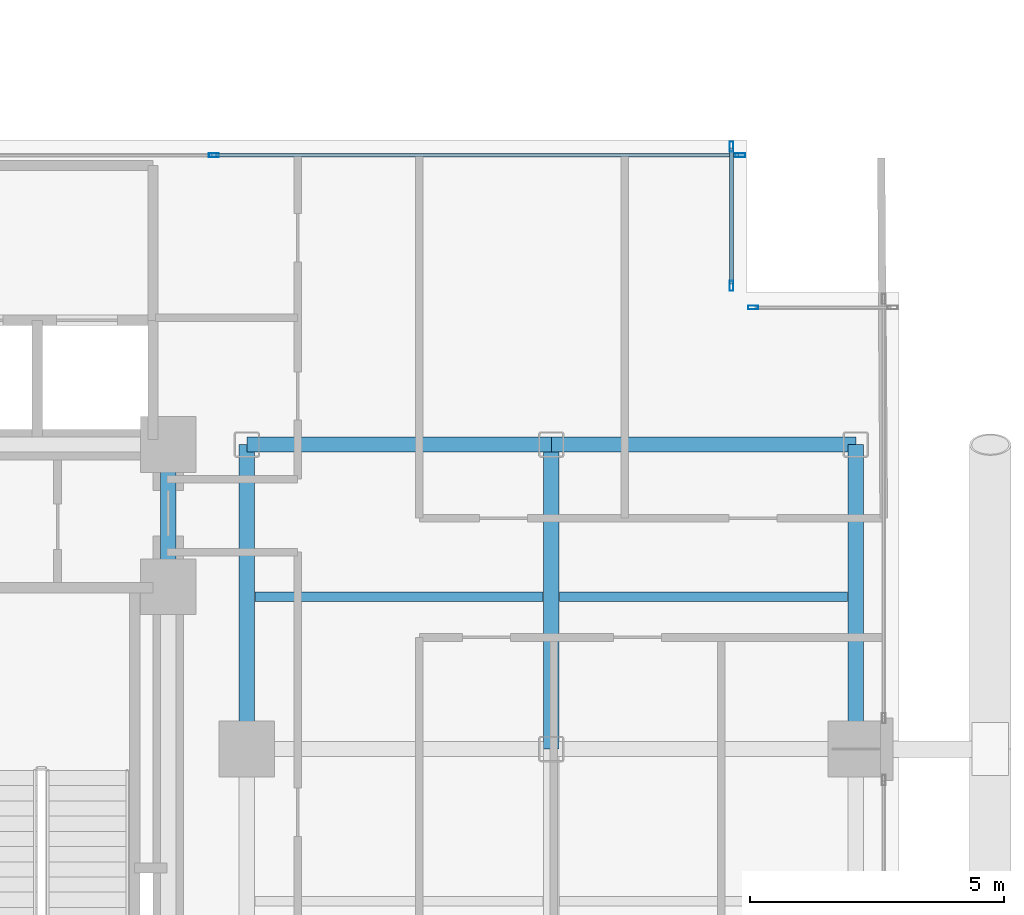
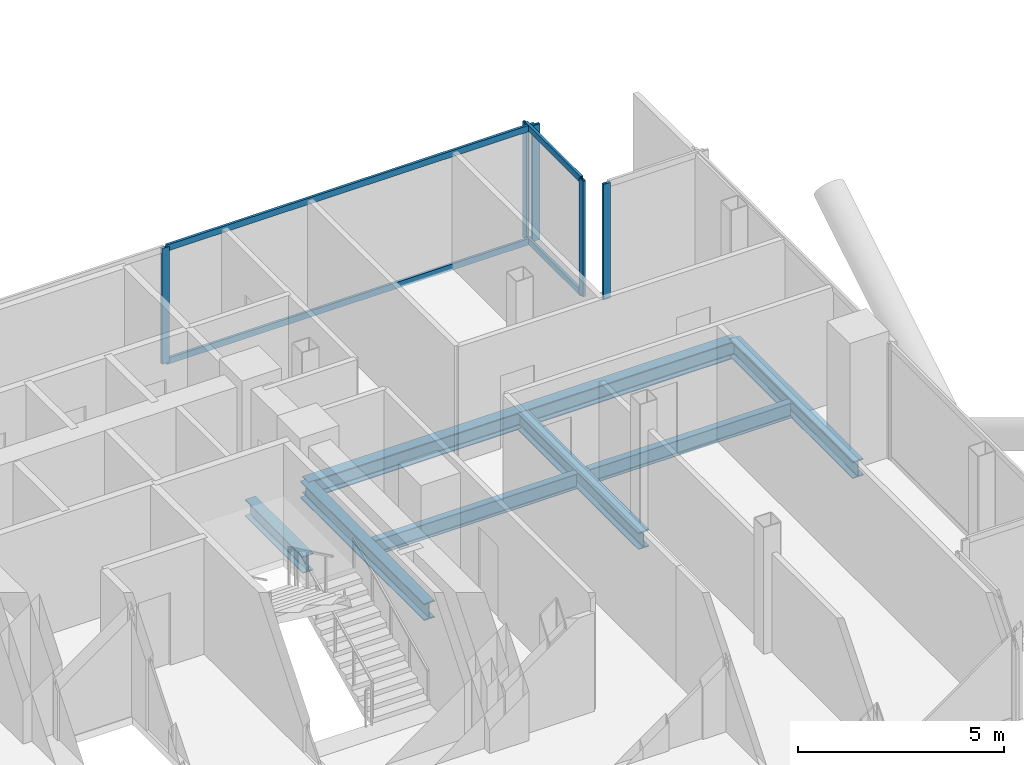
# One storey, part 12 of 24: 9 members, 8 beams, 3 elements without a shape of their own.
"""IFC4 building model written with IfcOpenShell, lengths in metres."""

from ifc_helpers import new_model, si_unit, direction, frame, origin, origin_2d, place, context, subcontext, project, spatial, hollow_rectangle, i_section, extrude, material, layer, layer_set, material_profile, profile_set, type_object, element, aggregate, save


model = new_model("IFC4")

# Units and contexts
model_context = context("Model", 3, precision=1e-05, world=origin(), true_north=direction((0.0, 1.0)))
body_context = subcontext(model_context, "Body", "Model", "MODEL_VIEW")
ifc_project = project(units=[si_unit("LENGTHUNIT", "METRE"), si_unit("AREAUNIT", "SQUARE_METRE"), si_unit("VOLUMEUNIT", "CUBIC_METRE"), si_unit("PLANEANGLEUNIT", "RADIAN"), si_unit("MASSUNIT", "GRAM", prefix="KILO"), si_unit("THERMODYNAMICTEMPERATUREUNIT", "KELVIN"), si_unit("POWERUNIT", "WATT")], contexts=[model_context])

# Site, building, storey
site_placement = place(None, origin())
site = spatial("IfcSite", under=ifc_project, at=site_placement, CompositionType="ELEMENT")
building_placement = place(site_placement, origin())
building = spatial("IfcBuilding", under=site, at=building_placement, Name="Svarakhadi Broadcast Tower", CompositionType="ELEMENT")
storey_placement = place(building_placement, frame((0.0, 0.0, 160.64990234375)))
storey = spatial("IfcBuildingStorey", under=building, at=storey_placement, Name="L39", CompositionType="ELEMENT", Elevation=160.64990234375)

# Beams
ifc_material_1 = material(Name="Steel S355J2 (IS 2062 E350C)", Category="steel")
ifc_material_profile_1 = material_profile(ifc_material_1, i_section(OverallWidth=0.18994140625, OverallDepth=0.449951171875, WebThickness=0.009521484375, FlangeThickness=0.0146484375, FilletRadius=0.02099609375, at=origin_2d()), Name="NPB 450x190x78")
ifc_profile_set_1 = profile_set([ifc_material_profile_1], Name="Steel S355J2 (IS 2062 E350C)")
beam_type_1 = type_object("IfcBeamType", Name="Beam_NPB450", PredefinedType="BEAM", material=ifc_profile_set_1)
for number, where, z_axis, x_axis, name in (
    (1, (35.31005859375, 15.0, -0.449951171875), (1.0, 0.0, 0.0), (0.0, 1.0, 0.0), "L39 Secondary Composite Beam SB021"),
    (2, (41.31005859375, 15.0, -0.449951171875), (1.0, 0.0, 0.0), (0.0, 1.0, 0.0), "L39 Secondary Composite Beam SB023"),
):
    element("IfcBeam", number, at=place(storey_placement, frame(where, z_axis=z_axis, x_axis=x_axis)), inside=storey, type_object=beam_type_1, Name=name, PredefinedType="BEAM", context=body_context, shape_type="SweptSolid", body=[
        extrude(i_section(OverallWidth=0.18994140625, OverallDepth=0.449951171875, WebThickness=0.009521484375, FlangeThickness=0.0146484375, FilletRadius=0.02099609375, at=origin_2d()), origin(), (0.0, 0.0, 1.0), 5.679931640625),
    ])

# Curtain wall, members
ifc_material_2 = material(Name="Anodised Bronze Aluminium AA 6063-T6", Category="aluminium")
ifc_layer = layer(ifc_material_2, 0.199951171875)
ifc_layer_set = layer_set([ifc_layer], Name="Anodised Bronze Aluminium AA 6063-T6")
curtain_wall_type = type_object("IfcCurtainWallType", Name="CW_Sys_03", PredefinedType="NOTDEFINED", material=ifc_layer_set)
curtain_wall_1_placement = place(storey_placement, origin())
curtain_wall_1 = element("IfcCurtainWall", 3, at=curtain_wall_1_placement, inside=storey, type_object=curtain_wall_type, Name="L39 Unitised Facade Curtain Wall 10", PredefinedType="NOTDEFINED")
ifc_material_profile_2 = material_profile(ifc_material_2, hollow_rectangle(XDim=0.074951171875, YDim=0.199951171875, WallThickness=0.005615234375, at=origin_2d()), Name="ALU MULLION 200x75x6")
ifc_profile_set_2 = profile_set([ifc_material_profile_2], Name="Anodised Bronze Aluminium AA 6063-T6")
member_type_1 = type_object("IfcMemberType", Name="CW_Sys_03_Mul", PredefinedType="MULLION", material=ifc_profile_set_2)
member_1_placement = place(storey_placement, frame((34.5, 23.699951171875, 0.0), z_axis=(0.0, 0.0, 1.0), x_axis=(0.0, 1.0, 0.0)))
member_1 = element("IfcMember", 4, at=member_1_placement, type_object=member_type_1, Name="CW-03 mullion 2", PredefinedType="MULLION", context=body_context, shape_type="SweptSolid", body=[
    extrude(hollow_rectangle(XDim=0.074951171875, YDim=0.199951171875, WallThickness=0.005615234375, at=origin_2d()), origin(), (0.0, 0.0, 1.0), 3.425048828125),
])
member_2_placement = place(storey_placement, frame((44.87255859375, 23.699951171875, 0.0), z_axis=(0.0, 0.0, 1.0), x_axis=(0.0, 1.0, 0.0)))
member_2 = element("IfcMember", 5, at=member_2_placement, type_object=member_type_1, Name="CW-03 mullion 3", PredefinedType="MULLION", context=body_context, shape_type="SweptSolid", body=[
    extrude(hollow_rectangle(XDim=0.074951171875, YDim=0.199951171875, WallThickness=0.005615234375, at=origin_2d()), origin(), (0.0, 0.0, 1.0), 3.425048828125),
])

curtain_wall_2_placement = place(storey_placement, origin())
curtain_wall_2 = element("IfcCurtainWall", 6, at=curtain_wall_2_placement, inside=storey, type_object=curtain_wall_type, Name="L39 Unitised Facade Curtain Wall 11", PredefinedType="NOTDEFINED")
member_3_placement = place(storey_placement, frame((44.699951171875, 23.87255859375, 0.0), z_axis=(0.0, 0.0, 1.0), x_axis=(1.0, 0.0, 0.0)))
member_3 = element("IfcMember", 7, at=member_3_placement, type_object=member_type_1, Name="CW-03 mullion 1", PredefinedType="MULLION", context=body_context, shape_type="SweptSolid", body=[
    extrude(hollow_rectangle(XDim=0.074951171875, YDim=0.199951171875, WallThickness=0.005615234375, at=origin_2d()), origin(), (0.0, 0.0, 1.0), 3.425048828125),
])
member_4_placement = place(storey_placement, frame((44.699951171875, 21.12744140625, 0.0), z_axis=(0.0, 0.0, 1.0), x_axis=(1.0, 0.0, 0.0)))
member_4 = element("IfcMember", 8, at=member_4_placement, type_object=member_type_1, Name="CW-03 mullion 2", PredefinedType="MULLION", context=body_context, shape_type="SweptSolid", body=[
    extrude(hollow_rectangle(XDim=0.074951171875, YDim=0.199951171875, WallThickness=0.005615234375, at=origin_2d()), origin(), (0.0, 0.0, 1.0), 3.425048828125),
])

# Curtain wall, member
curtain_wall_3_placement = place(storey_placement, origin())
curtain_wall_3 = element("IfcCurtainWall", 9, at=curtain_wall_3_placement, inside=storey, type_object=curtain_wall_type, Name="L39 Unitised Facade Curtain Wall 12", PredefinedType="NOTDEFINED")
member_5_placement = place(storey_placement, frame((45.12744140625, 20.699951171875, 0.0), z_axis=(0.0, 0.0, 1.0), x_axis=(0.0, 1.0, 0.0)))
member_5 = element("IfcMember", 10, at=member_5_placement, type_object=member_type_1, Name="CW-03 mullion 1", PredefinedType="MULLION", context=body_context, shape_type="SweptSolid", body=[
    extrude(hollow_rectangle(XDim=0.074951171875, YDim=0.199951171875, WallThickness=0.005615234375, at=origin_2d()), origin(), (0.0, 0.0, 1.0), 3.425048828125),
])
aggregate(curtain_wall_3, [member_5])

# Member
ifc_material_profile_3 = material_profile(ifc_material_2, hollow_rectangle(XDim=0.070068359375, YDim=0.18505859375, WallThickness=0.0048828125, at=origin_2d()), Name="ALU TRANSOM 185x70x5")
ifc_profile_set_3 = profile_set([ifc_material_profile_3], Name="Anodised Bronze Aluminium AA 6063-T6")
member_type_2 = type_object("IfcMemberType", Name="CW_Sys_03_Trn", PredefinedType="USERDEFINED", material=ifc_profile_set_3)
member_6_placement = place(storey_placement, frame((34.53759765625, 23.699951171875, 0.03515625), z_axis=(1.0, 0.0, 0.0), x_axis=(0.0, 1.0, 0.0)))
member_6 = element("IfcMember", 11, at=member_6_placement, type_object=member_type_2, Name="CW-03 transom 2.1", ObjectType="TRANSOM", PredefinedType="USERDEFINED", context=body_context, shape_type="SweptSolid", body=[
    extrude(hollow_rectangle(XDim=0.070068359375, YDim=0.18505859375, WallThickness=0.0048828125, at=origin_2d()), origin(), (0.0, 0.0, 1.0), 10.29736328125),
])

member_7_placement = place(storey_placement, frame((34.53759765625, 23.699951171875, 3.39013671875), z_axis=(1.0, 0.0, 0.0), x_axis=(0.0, 1.0, 0.0)))
member_7 = element("IfcMember", 12, at=member_7_placement, type_object=member_type_2, Name="CW-03 transom 2.2", ObjectType="TRANSOM", PredefinedType="USERDEFINED", context=body_context, shape_type="SweptSolid", body=[
    extrude(hollow_rectangle(XDim=0.070068359375, YDim=0.18505859375, WallThickness=0.0048828125, at=origin_2d()), origin(), (0.0, 0.0, 1.0), 10.29736328125),
])

aggregate(curtain_wall_1, [member_1, member_2, member_6, member_7])

member_8_placement = place(storey_placement, frame((44.699951171875, 23.8349609375, 0.03515625), z_axis=(0.0, -1.0, 0.0), x_axis=(1.0, 0.0, 0.0)))
member_8 = element("IfcMember", 13, at=member_8_placement, type_object=member_type_2, Name="CW-03 transom 1.1", ObjectType="TRANSOM", PredefinedType="USERDEFINED", context=body_context, shape_type="SweptSolid", body=[
    extrude(hollow_rectangle(XDim=0.070068359375, YDim=0.18505859375, WallThickness=0.0048828125, at=origin_2d()), origin(), (0.0, 0.0, 1.0), 2.669921875),
])

member_9_placement = place(storey_placement, frame((44.699951171875, 23.8349609375, 3.39013671875), z_axis=(0.0, -1.0, 0.0), x_axis=(1.0, 0.0, 0.0)))
member_9 = element("IfcMember", 14, at=member_9_placement, type_object=member_type_2, Name="CW-03 transom 1.2", ObjectType="TRANSOM", PredefinedType="USERDEFINED", context=body_context, shape_type="SweptSolid", body=[
    extrude(hollow_rectangle(XDim=0.070068359375, YDim=0.18505859375, WallThickness=0.0048828125, at=origin_2d()), origin(), (0.0, 0.0, 1.0), 2.669921875),
])

aggregate(curtain_wall_2, [member_3, member_4, member_8, member_9])

# Beams
ifc_material_profile_4 = material_profile(ifc_material_1, i_section(OverallWidth=0.300048828125, OverallDepth=0.5, WebThickness=0.014404296875, FlangeThickness=0.028076171875, FilletRadius=0.027099609375, at=origin_2d()), Name="WPB 500x300x187")
ifc_profile_set_4 = profile_set([ifc_material_profile_4], Name="Steel S355J2 (IS 2062 E350C)")
beam_type_2 = type_object("IfcBeamType", Name="Girder_WPB500", PredefinedType="USERDEFINED", material=ifc_profile_set_4)
for number, where, z_axis, x_axis, name in (
    (15, (35.14990234375, 18.0, -0.474853515625), (1.0, 0.0, 0.0), (0.0, 1.0, 0.0), "L39 Primary E-W Girder G028"),
    (16, (41.14990234375, 18.0, -0.474853515625), (1.0, 0.0, 0.0), (0.0, 1.0, 0.0), "L39 Primary E-W Girder G029"),
):
    element("IfcBeam", number, at=place(storey_placement, frame(where, z_axis=z_axis, x_axis=x_axis)), inside=storey, type_object=beam_type_2, Name=name, ObjectType="GIRDER", PredefinedType="USERDEFINED", context=body_context, shape_type="SweptSolid", body=[
        extrude(i_section(OverallWidth=0.300048828125, OverallDepth=0.5, WebThickness=0.014404296875, FlangeThickness=0.028076171875, FilletRadius=0.027099609375, at=origin_2d()), origin(), (0.0, 0.0, 1.0), 6.0),
    ])
beam_placement = place(storey_placement, frame((33.60009765625, 15.199951171875, -0.474853515625), z_axis=(0.0, 1.0, 0.0), x_axis=(-1.0, 0.0, 0.0)))
element("IfcBeam", 17, at=beam_placement, inside=storey, type_object=beam_type_2, Name="L39 Primary N-S Girder G066", ObjectType="GIRDER", PredefinedType="USERDEFINED", context=body_context, shape_type="SweptSolid", body=[
    extrude(i_section(OverallWidth=0.300048828125, OverallDepth=0.5, WebThickness=0.014404296875, FlangeThickness=0.028076171875, FilletRadius=0.027099609375, at=origin_2d()), origin(), (0.0, 0.0, 1.0), 2.800048828125),
])
for number, where, z_axis, x_axis, name in (
    (18, (35.14990234375, 12.0, -0.474853515625), (0.0, 1.0, 0.0), (-1.0, 0.0, 0.0), "L39 Primary N-S Girder G069"),
    (19, (41.14990234375, 12.0, -0.474853515625), (0.0, 1.0, 0.0), (-1.0, 0.0, 0.0), "L39 Primary N-S Girder G072"),
    (20, (47.14990234375, 12.0, -0.474853515625), (0.0, 1.0, 0.0), (-1.0, 0.0, 0.0), "L39 Primary N-S Girder G074"),
):
    element("IfcBeam", number, at=place(storey_placement, frame(where, z_axis=z_axis, x_axis=x_axis)), inside=storey, type_object=beam_type_2, Name=name, ObjectType="GIRDER", PredefinedType="USERDEFINED", context=body_context, shape_type="SweptSolid", body=[
        extrude(i_section(OverallWidth=0.300048828125, OverallDepth=0.5, WebThickness=0.014404296875, FlangeThickness=0.028076171875, FilletRadius=0.027099609375, at=origin_2d()), origin(), (0.0, 0.0, 1.0), 6.0),
    ])

save(model, "model.ifc")
